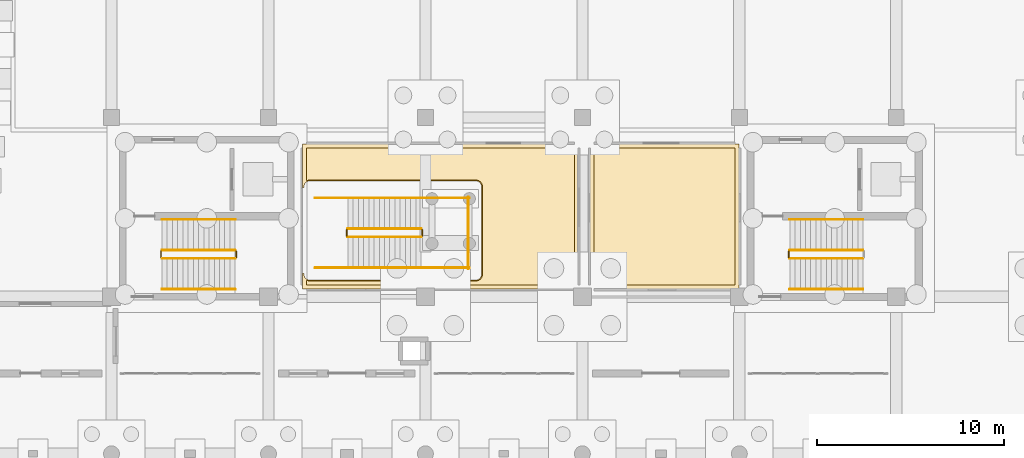
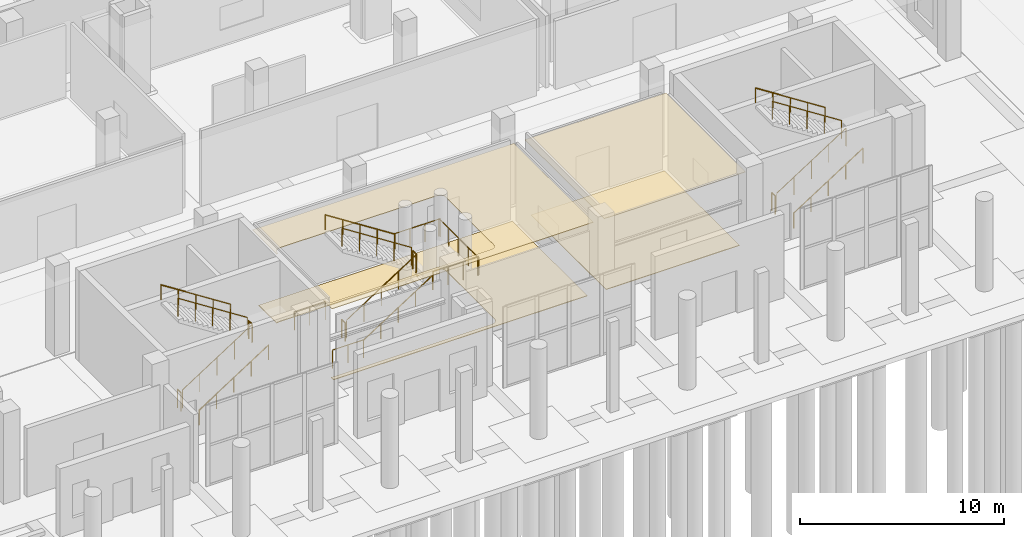
# One storey, part 52 of 65: 22 railings, 4 coverings.
"""IFC4 building model written with IfcOpenShell, lengths in metres."""

from ifc_helpers import new_model, si_unit, direction, frame, origin, origin_2d, place, context, subcontext, project, spatial, polyline, circle, outline, extrude, material, layer, layer_set, type_object, element, save


model = new_model("IFC4")

# Units and contexts
model_context = context("Model", 3, precision=1e-05, world=origin(), true_north=direction((0.0, 1.0)))
body_context = subcontext(model_context, "Body", "Model", "MODEL_VIEW")
ifc_project = project(units=[si_unit("LENGTHUNIT", "METRE"), si_unit("AREAUNIT", "SQUARE_METRE"), si_unit("VOLUMEUNIT", "CUBIC_METRE"), si_unit("PLANEANGLEUNIT", "RADIAN"), si_unit("MASSUNIT", "GRAM", prefix="KILO")], contexts=[model_context])

# Site, building, storey
site_placement = place(None, origin())
site = spatial("IfcSite", under=ifc_project, at=site_placement, CompositionType="ELEMENT")
building_placement = place(site_placement, origin())
building = spatial("IfcBuilding", under=site, at=building_placement, Name="Zulmaris Art Gallery", CompositionType="ELEMENT")
storey_placement = place(building_placement, origin())
storey = spatial("IfcBuildingStorey", under=building, at=storey_placement, Name="L00", CompositionType="ELEMENT", Elevation=0.0)

# Coverings
ifc_material_1 = material(Name="Micro-Perforated Gypsum Acoustic Ceiling", Category="gypsum")
ifc_layer_1 = layer(ifc_material_1, 0.02490234375)
ifc_layer_set_1 = layer_set([ifc_layer_1], Name="Micro-Perforated Gypsum Acoustic Ceiling")
covering_type_1 = type_object("IfcCoveringType", Name="COV-CL01", PredefinedType="CEILING", material=ifc_layer_set_1)
covering_1_placement = place(storey_placement, frame((0.0, 0.0, 4.449951171875)))
element("IfcCovering", 1, at=covering_1_placement, inside=storey, type_object=covering_type_1, Name="Museum Book & Design Shop acoustic ceiling", PredefinedType="CEILING", context=body_context, shape_type="SweptSolid", body=[
    extrude(outline(polyline([(42.610107421875, 29.7900390625), (57.389892578125, 29.7900390625), (57.389892578125, 22.010009765625), (42.610107421875, 22.010009765625), (42.610107421875, 22.8828125), (42.699951171875, 22.82861328125), (42.699951171875, 22.800048828125), (42.701416015625, 22.7705078125), (42.705810546875, 22.741455078125), (42.712890625, 22.712890625), (42.722900390625, 22.685302734375), (42.7353515625, 22.65869140625), (42.75048828125, 22.63330078125), (42.76806640625, 22.609619140625), (42.787841796875, 22.587890625), (42.809814453125, 22.568115234375), (42.833251953125, 22.550537109375), (42.858642578125, 22.535400390625), (42.88525390625, 22.522705078125), (42.912841796875, 22.512939453125), (42.94140625, 22.505859375), (42.970703125, 22.50146484375), (43.0, 22.5), (51.89990234375, 22.5), (51.929443359375, 22.50146484375), (51.95849609375, 22.505859375), (51.987060546875, 22.512939453125), (52.014892578125, 22.522705078125), (52.04150390625, 22.535400390625), (52.066650390625, 22.550537109375), (52.09033203125, 22.568115234375), (52.112060546875, 22.587890625), (52.1318359375, 22.609619140625), (52.1494140625, 22.63330078125), (52.16455078125, 22.65869140625), (52.17724609375, 22.685302734375), (52.18701171875, 22.712890625), (52.194091796875, 22.741455078125), (52.198486328125, 22.7705078125), (52.199951171875, 22.800048828125), (52.199951171875, 27.5), (52.198486328125, 27.529296875), (52.194091796875, 27.55859375), (52.18701171875, 27.587158203125), (52.17724609375, 27.61474609375), (52.16455078125, 27.641357421875), (52.1494140625, 27.666748046875), (52.1318359375, 27.690185546875), (52.112060546875, 27.712158203125), (52.09033203125, 27.73193359375), (52.066650390625, 27.74951171875), (52.04150390625, 27.7646484375), (52.014892578125, 27.777099609375), (51.987060546875, 27.787109375), (51.95849609375, 27.794189453125), (51.929443359375, 27.798583984375), (51.89990234375, 27.800048828125), (43.0, 27.800048828125), (42.970703125, 27.798583984375), (42.94140625, 27.794189453125), (42.912841796875, 27.787109375), (42.88525390625, 27.777099609375), (42.858642578125, 27.7646484375), (42.833251953125, 27.74951171875), (42.809814453125, 27.73193359375), (42.787841796875, 27.712158203125), (42.76806640625, 27.690185546875), (42.75048828125, 27.666748046875), (42.7353515625, 27.641357421875), (42.722900390625, 27.61474609375), (42.712890625, 27.587158203125), (42.705810546875, 27.55859375), (42.701416015625, 27.529296875), (42.699951171875, 27.5), (42.699951171875, 27.47119140625), (42.610107421875, 27.417236328125), (42.610107421875, 29.7900390625)])), origin(), (0.0, 0.0, 1.0), 0.030029296875),
])
covering_2_placement = place(storey_placement, frame((0.0, 0.0, 4.449951171875)))
element("IfcCovering", 2, at=covering_2_placement, inside=storey, type_object=covering_type_1, Name="Shaded Colonnade Gallery Cafe acoustic ceiling", PredefinedType="CEILING", context=body_context, shape_type="SweptSolid", body=[
    extrude(outline(polyline([(58.010009765625, 29.7900390625), (65.989990234375, 29.7900390625), (65.989990234375, 22.010009765625), (58.010009765625, 22.010009765625), (58.010009765625, 29.7900390625)])), origin(), (0.0, 0.0, 1.0), 0.030029296875),
])
ifc_material_2 = material(Name="Honed Omani Limestone Terrazzo Flooring", Category="masonry")
ifc_layer_2 = layer(ifc_material_2, 0.0400390625)
ifc_layer_set_2 = layer_set([ifc_layer_2], Name="Honed Omani Limestone Terrazzo Flooring")
covering_type_2 = type_object("IfcCoveringType", Name="COV-FL01", PredefinedType="FLOORING", material=ifc_layer_set_2)
covering_3_placement = place(storey_placement, origin())
element("IfcCovering", 3, at=covering_3_placement, inside=storey, type_object=covering_type_2, Name="Museum Book & Design Shop finish flooring", PredefinedType="FLOORING", context=body_context, shape_type="SweptSolid", body=[
    extrude(outline(polyline([(57.169921875, 22.22998046875), (42.830078125, 22.22998046875), (42.830078125, 22.494384765625), (42.8349609375, 22.4912109375), (42.8662109375, 22.4765625), (42.8984375, 22.465087890625), (42.931640625, 22.456787109375), (42.9658203125, 22.45166015625), (43.0, 22.449951171875), (51.89990234375, 22.449951171875), (51.934326171875, 22.45166015625), (51.96826171875, 22.456787109375), (52.001708984375, 22.465087890625), (52.033935546875, 22.4765625), (52.06494140625, 22.4912109375), (52.094482421875, 22.509033203125), (52.1220703125, 22.529296875), (52.1474609375, 22.552490234375), (52.170654296875, 22.577880859375), (52.19091796875, 22.605712890625), (52.208740234375, 22.635009765625), (52.223388671875, 22.666015625), (52.23486328125, 22.698486328125), (52.243408203125, 22.731689453125), (52.248291015625, 22.765625), (52.25, 22.800048828125), (52.25, 27.5), (52.248291015625, 27.5341796875), (52.243408203125, 27.568359375), (52.23486328125, 27.6015625), (52.223388671875, 27.6337890625), (52.208740234375, 27.6650390625), (52.19091796875, 27.6943359375), (52.170654296875, 27.721923828125), (52.1474609375, 27.74755859375), (52.1220703125, 27.7705078125), (52.094482421875, 27.791015625), (52.06494140625, 27.80859375), (52.033935546875, 27.823486328125), (52.001708984375, 27.8349609375), (51.96826171875, 27.84326171875), (51.934326171875, 27.848388671875), (51.89990234375, 27.85009765625), (43.0, 27.85009765625), (42.9658203125, 27.848388671875), (42.931640625, 27.84326171875), (42.8984375, 27.8349609375), (42.8662109375, 27.823486328125), (42.8349609375, 27.80859375), (42.830078125, 27.8056640625), (42.830078125, 29.570068359375), (57.169921875, 29.570068359375), (57.169921875, 22.22998046875)])), origin(), (0.0, 0.0, 1.0), 0.034912109375),
])
covering_4_placement = place(storey_placement, origin())
element("IfcCovering", 4, at=covering_4_placement, inside=storey, type_object=covering_type_2, Name="Shaded Colonnade Gallery Cafe finish flooring", PredefinedType="FLOORING", context=body_context, shape_type="SweptSolid", body=[
    extrude(outline(polyline([(65.77001953125, 22.22998046875), (58.22998046875, 22.22998046875), (58.22998046875, 29.570068359375), (65.77001953125, 29.570068359375), (65.77001953125, 22.22998046875)])), origin(), (0.0, 0.0, 1.0), 0.034912109375),
])

# Railings
ifc_material_3 = material(Name="Steel S355J2", Category="steel")
ifc_layer_3 = layer(ifc_material_3, 0.050048828125)
ifc_layer_set_3 = layer_set([ifc_layer_3], Name="Steel S355J2")
railing_type_1 = type_object("IfcRailingType", Name="RAIL-STGRD", PredefinedType="GUARDRAIL", material=ifc_layer_set_3)
railing_1_placement = place(storey_placement, frame((35.10009765625, 23.64990234375, 0.179931640625)))
element("IfcRailing", 5, at=railing_1_placement, inside=storey, type_object=railing_type_1, Name="L00 ST1 stair guard 1", PredefinedType="GUARDRAIL", context=body_context, shape_type="SweptSolid", body=[
    extrude(circle(Radius=0.02392578125, at=origin_2d()), frame((0.0, 0.0, 1.076171875), z_axis=(0.841171666519, 0.0, 0.540768182723), x_axis=(0.0, 1.0, 0.0)), (0.0, 0.0, 1.0), 4.66015625),
    extrude(circle(Radius=0.02099609375, at=origin_2d()), origin(), (0.0, 0.0, 1.0), 1.052001953125),
    extrude(circle(Radius=0.02099609375, at=origin_2d()), frame((0.97998046875, 0.0, 0.6298828125)), (0.0, 0.0, 1.0), 1.052001953125),
    extrude(circle(Radius=0.02099609375, at=origin_2d()), frame((1.9599609375, 0.0, 1.260009765625)), (0.0, 0.0, 1.0), 1.052001953125),
    extrude(circle(Radius=0.02099609375, at=origin_2d()), frame((2.93994140625, 0.0, 1.89013671875)), (0.0, 0.0, 1.0), 1.052001953125),
    extrude(circle(Radius=0.02099609375, at=origin_2d()), frame((3.919921875, 0.0, 2.52001953125)), (0.0, 0.0, 1.0), 1.052001953125),
])
railing_2_placement = place(storey_placement, frame((39.070068359375, 23.699951171875, 2.699951171875)))
element("IfcRailing", 6, at=railing_2_placement, inside=storey, type_object=railing_type_1, Name="L00 ST1 stair guard 2", PredefinedType="GUARDRAIL", context=body_context, shape_type="SweptSolid", body=[
    extrude(circle(Radius=0.02392578125, at=origin_2d()), frame((0.0, 0.0, 1.076171875), z_axis=(0.0, 1.0, 0.0), x_axis=(-1.0, 0.0, 0.0)), (0.0, 0.0, 1.0), 0.340087890625),
    extrude(circle(Radius=0.02099609375, at=origin_2d()), origin(), (0.0, 0.0, 1.0), 1.052001953125),
    extrude(circle(Radius=0.02099609375, at=origin_2d()), frame((0.0, 0.340087890625, 0.0)), (0.0, 0.0, 1.0), 1.052001953125),
])
railing_3_placement = place(storey_placement, frame((39.02001953125, 24.090087890625, 2.8798828125)))
element("IfcRailing", 7, at=railing_3_placement, inside=storey, type_object=railing_type_1, Name="L00 ST1 stair guard 3", PredefinedType="GUARDRAIL", context=body_context, shape_type="SweptSolid", body=[
    extrude(circle(Radius=0.02392578125, at=origin_2d()), frame((0.0, 0.0, 1.076171875), z_axis=(-0.841171666519, 0.0, 0.540768182723), x_axis=(0.0, -1.0, 0.0)), (0.0, 0.0, 1.0), 4.66015625),
    extrude(circle(Radius=0.02099609375, at=origin_2d()), origin(), (0.0, 0.0, 1.0), 1.052001953125),
    extrude(circle(Radius=0.02099609375, at=origin_2d()), frame((-0.97998046875, 0.0, 0.6298828125)), (0.0, 0.0, 1.0), 1.052001953125),
    extrude(circle(Radius=0.02099609375, at=origin_2d()), frame((-1.9599609375, 0.0, 1.260009765625)), (0.0, 0.0, 1.0), 1.052001953125),
    extrude(circle(Radius=0.02099609375, at=origin_2d()), frame((-2.93994140625, 0.0, 1.89013671875)), (0.0, 0.0, 1.0), 1.052001953125),
    extrude(circle(Radius=0.02099609375, at=origin_2d()), frame((-3.919921875, 0.0, 2.52001953125)), (0.0, 0.0, 1.0), 1.052001953125),
])
railing_4_placement = place(storey_placement, frame((35.050048828125, 23.699951171875, 0.0)))
element("IfcRailing", 8, at=railing_4_placement, inside=storey, type_object=railing_type_1, Name="L00 ST1 stair guard 4", PredefinedType="GUARDRAIL", context=body_context, shape_type="SweptSolid", body=[
    extrude(circle(Radius=0.02392578125, at=origin_2d()), frame((0.0, 0.0, 1.076171875), z_axis=(0.0, 1.0, 0.0), x_axis=(-1.0, 0.0, 0.0)), (0.0, 0.0, 1.0), 0.340087890625),
    extrude(circle(Radius=0.02099609375, at=origin_2d()), origin(), (0.0, 0.0, 1.0), 1.052001953125),
    extrude(circle(Radius=0.02099609375, at=origin_2d()), frame((0.0, 0.340087890625, 0.0)), (0.0, 0.0, 1.0), 1.052001953125),
])
railing_5_placement = place(storey_placement, frame((68.699951171875, 23.64990234375, 0.179931640625)))
element("IfcRailing", 9, at=railing_5_placement, inside=storey, type_object=railing_type_1, Name="L00 ST2 stair guard 1", PredefinedType="GUARDRAIL", context=body_context, shape_type="SweptSolid", body=[
    extrude(circle(Radius=0.02392578125, at=origin_2d()), frame((0.0, 0.0, 1.076171875), z_axis=(0.841186985886, 0.0, 0.540744352514), x_axis=(0.0, 1.0, 0.0)), (0.0, 0.0, 1.0), 4.660400390625),
    extrude(circle(Radius=0.02099609375, at=origin_2d()), origin(), (0.0, 0.0, 1.0), 1.052001953125),
    extrude(circle(Radius=0.02099609375, at=origin_2d()), frame((0.97998046875, 0.0, 0.6298828125)), (0.0, 0.0, 1.0), 1.052001953125),
    extrude(circle(Radius=0.02099609375, at=origin_2d()), frame((1.9599609375, 0.0, 1.260009765625)), (0.0, 0.0, 1.0), 1.052001953125),
    extrude(circle(Radius=0.02099609375, at=origin_2d()), frame((2.940185546875, 0.0, 1.89013671875)), (0.0, 0.0, 1.0), 1.052001953125),
    extrude(circle(Radius=0.02099609375, at=origin_2d()), frame((3.920166015625, 0.0, 2.52001953125)), (0.0, 0.0, 1.0), 1.052001953125),
])
railing_6_placement = place(storey_placement, frame((72.6201171875, 24.090087890625, 2.8798828125)))
element("IfcRailing", 10, at=railing_6_placement, inside=storey, type_object=railing_type_1, Name="L00 ST2 stair guard 3", PredefinedType="GUARDRAIL", context=body_context, shape_type="SweptSolid", body=[
    extrude(circle(Radius=0.02392578125, at=origin_2d()), frame((0.0, 0.0, 1.076171875), z_axis=(-0.841186985886, 0.0, 0.540744352514), x_axis=(0.0, -1.0, 0.0)), (0.0, 0.0, 1.0), 4.660400390625),
    extrude(circle(Radius=0.02099609375, at=origin_2d()), origin(), (0.0, 0.0, 1.0), 1.052001953125),
    extrude(circle(Radius=0.02099609375, at=origin_2d()), frame((-0.97998046875, 0.0, 0.6298828125)), (0.0, 0.0, 1.0), 1.052001953125),
    extrude(circle(Radius=0.02099609375, at=origin_2d()), frame((-1.9599609375, 0.0, 1.260009765625)), (0.0, 0.0, 1.0), 1.052001953125),
    extrude(circle(Radius=0.02099609375, at=origin_2d()), frame((-2.940185546875, 0.0, 1.89013671875)), (0.0, 0.0, 1.0), 1.052001953125),
    extrude(circle(Radius=0.02099609375, at=origin_2d()), frame((-3.920166015625, 0.0, 2.52001953125)), (0.0, 0.0, 1.0), 1.052001953125),
])
railing_7_placement = place(storey_placement, frame((68.64990234375, 23.699951171875, 0.0)))
element("IfcRailing", 11, at=railing_7_placement, inside=storey, type_object=railing_type_1, Name="L00 ST2 stair guard 4", PredefinedType="GUARDRAIL", context=body_context, shape_type="SweptSolid", body=[
    extrude(circle(Radius=0.02392578125, at=origin_2d()), frame((0.0, 0.0, 1.076171875), z_axis=(0.0, 1.0, 0.0), x_axis=(-1.0, 0.0, 0.0)), (0.0, 0.0, 1.0), 0.340087890625),
    extrude(circle(Radius=0.02099609375, at=origin_2d()), origin(), (0.0, 0.0, 1.0), 1.052001953125),
    extrude(circle(Radius=0.02099609375, at=origin_2d()), frame((0.0, 0.340087890625, 0.0)), (0.0, 0.0, 1.0), 1.052001953125),
])
railing_8_placement = place(storey_placement, frame((45.050048828125, 24.800048828125, 0.179931640625)))
element("IfcRailing", 12, at=railing_8_placement, inside=storey, type_object=railing_type_1, Name="L00 ST6 stair guard 1", PredefinedType="GUARDRAIL", context=body_context, shape_type="SweptSolid", body=[
    extrude(circle(Radius=0.02392578125, at=origin_2d()), frame((0.0, 0.0, 1.076171875), z_axis=(0.841171666519, 0.0, 0.540768182723), x_axis=(0.0, 1.0, 0.0)), (0.0, 0.0, 1.0), 4.66015625),
    extrude(circle(Radius=0.02099609375, at=origin_2d()), origin(), (0.0, 0.0, 1.0), 1.052001953125),
    extrude(circle(Radius=0.02099609375, at=origin_2d()), frame((0.97998046875, 0.0, 0.6298828125)), (0.0, 0.0, 1.0), 1.052001953125),
    extrude(circle(Radius=0.02099609375, at=origin_2d()), frame((1.9599609375, 0.0, 1.260009765625)), (0.0, 0.0, 1.0), 1.052001953125),
    extrude(circle(Radius=0.02099609375, at=origin_2d()), frame((2.93994140625, 0.0, 1.89013671875)), (0.0, 0.0, 1.0), 1.052001953125),
    extrude(circle(Radius=0.02099609375, at=origin_2d()), frame((3.919921875, 0.0, 2.52001953125)), (0.0, 0.0, 1.0), 1.052001953125),
])
railing_9_placement = place(storey_placement, frame((49.02001953125, 24.85009765625, 2.699951171875)))
element("IfcRailing", 13, at=railing_9_placement, inside=storey, type_object=railing_type_1, Name="L00 ST6 stair guard 2", PredefinedType="GUARDRAIL", context=body_context, shape_type="SweptSolid", body=[
    extrude(circle(Radius=0.02392578125, at=origin_2d()), frame((0.0, 0.0, 1.076171875), z_axis=(0.0, 1.0, 0.0), x_axis=(-1.0, 0.0, 0.0)), (0.0, 0.0, 1.0), 0.33984375),
    extrude(circle(Radius=0.02099609375, at=origin_2d()), origin(), (0.0, 0.0, 1.0), 1.052001953125),
    extrude(circle(Radius=0.02099609375, at=origin_2d()), frame((0.0, 0.33984375, 0.0)), (0.0, 0.0, 1.0), 1.052001953125),
])
for number, where, name in (
    (14, (48.969970703125, 23.14990234375, 2.699951171875), "L00 ST6 stair guard 3"),
    (15, (48.969970703125, 26.889892578125, 2.699951171875), "L00 ST6 stair guard 4"),
):
    element("IfcRailing", number, at=place(storey_placement, frame(where)), inside=storey, type_object=railing_type_1, Name=name, PredefinedType="GUARDRAIL", context=body_context, shape_type="SweptSolid", body=[
        extrude(circle(Radius=0.02392578125, at=origin_2d()), frame((0.0, 0.0, 1.076171875), z_axis=(1.0, 0.0, 0.0), x_axis=(0.0, 1.0, 0.0)), (0.0, 0.0, 1.0), 2.580078125),
        extrude(circle(Radius=0.02099609375, at=origin_2d()), origin(), (0.0, 0.0, 1.0), 1.052001953125),
        extrude(circle(Radius=0.02099609375, at=origin_2d()), frame((0.860107421875, 0.0, 0.0)), (0.0, 0.0, 1.0), 1.052001953125),
        extrude(circle(Radius=0.02099609375, at=origin_2d()), frame((1.719970703125, 0.0, 0.0)), (0.0, 0.0, 1.0), 1.052001953125),
        extrude(circle(Radius=0.02099609375, at=origin_2d()), frame((2.580078125, 0.0, 0.0)), (0.0, 0.0, 1.0), 1.052001953125),
    ])
railing_10_placement = place(storey_placement, frame((51.5, 23.10009765625, 2.699951171875)))
element("IfcRailing", 16, at=railing_10_placement, inside=storey, type_object=railing_type_1, Name="L00 ST6 stair guard 5", PredefinedType="GUARDRAIL", context=body_context, shape_type="SweptSolid", body=[
    extrude(circle(Radius=0.02392578125, at=origin_2d()), frame((0.0, 0.0, 1.076171875), z_axis=(0.0, 1.0, 0.0), x_axis=(-1.0, 0.0, 0.0)), (0.0, 0.0, 1.0), 3.83984375),
    extrude(circle(Radius=0.02099609375, at=origin_2d()), origin(), (0.0, 0.0, 1.0), 1.052001953125),
    extrude(circle(Radius=0.02099609375, at=origin_2d()), frame((0.0, 0.9599609375, 0.0)), (0.0, 0.0, 1.0), 1.052001953125),
    extrude(circle(Radius=0.02099609375, at=origin_2d()), frame((0.0, 1.919921875, 0.0)), (0.0, 0.0, 1.0), 1.052001953125),
    extrude(circle(Radius=0.02099609375, at=origin_2d()), frame((0.0, 2.8798828125, 0.0)), (0.0, 0.0, 1.0), 1.052001953125),
    extrude(circle(Radius=0.02099609375, at=origin_2d()), frame((0.0, 3.83984375, 0.0)), (0.0, 0.0, 1.0), 1.052001953125),
])
railing_11_placement = place(storey_placement, frame((48.969970703125, 25.239990234375, 2.8798828125)))
element("IfcRailing", 17, at=railing_11_placement, inside=storey, type_object=railing_type_1, Name="L00 ST6 stair guard 6", PredefinedType="GUARDRAIL", context=body_context, shape_type="SweptSolid", body=[
    extrude(circle(Radius=0.02392578125, at=origin_2d()), frame((0.0, 0.0, 1.076171875), z_axis=(-0.841171666519, 0.0, 0.540768182723), x_axis=(0.0, -1.0, 0.0)), (0.0, 0.0, 1.0), 4.66015625),
    extrude(circle(Radius=0.02099609375, at=origin_2d()), origin(), (0.0, 0.0, 1.0), 1.052001953125),
    extrude(circle(Radius=0.02099609375, at=origin_2d()), frame((-0.97998046875, 0.0, 0.6298828125)), (0.0, 0.0, 1.0), 1.052001953125),
    extrude(circle(Radius=0.02099609375, at=origin_2d()), frame((-1.9599609375, 0.0, 1.260009765625)), (0.0, 0.0, 1.0), 1.052001953125),
    extrude(circle(Radius=0.02099609375, at=origin_2d()), frame((-2.93994140625, 0.0, 1.89013671875)), (0.0, 0.0, 1.0), 1.052001953125),
    extrude(circle(Radius=0.02099609375, at=origin_2d()), frame((-3.919921875, 0.0, 2.52001953125)), (0.0, 0.0, 1.0), 1.052001953125),
])
railing_12_placement = place(storey_placement, frame((45.0, 24.85009765625, 0.0)))
element("IfcRailing", 18, at=railing_12_placement, inside=storey, type_object=railing_type_1, Name="L00 ST6 stair guard 7", PredefinedType="GUARDRAIL", context=body_context, shape_type="SweptSolid", body=[
    extrude(circle(Radius=0.02392578125, at=origin_2d()), frame((0.0, 0.0, 1.076171875), z_axis=(0.0, 1.0, 0.0), x_axis=(-1.0, 0.0, 0.0)), (0.0, 0.0, 1.0), 0.33984375),
    extrude(circle(Radius=0.02099609375, at=origin_2d()), origin(), (0.0, 0.0, 1.0), 1.052001953125),
    extrude(circle(Radius=0.02099609375, at=origin_2d()), frame((0.0, 0.33984375, 0.0)), (0.0, 0.0, 1.0), 1.052001953125),
])
for number, where, name in (
    (19, (43.300048828125, 23.14990234375, 0.0), "L00 ST6 stair guard 8"),
    (20, (43.300048828125, 26.889892578125, 0.0), "L00 ST6 stair guard 9"),
):
    element("IfcRailing", number, at=place(storey_placement, frame(where)), inside=storey, type_object=railing_type_1, Name=name, PredefinedType="GUARDRAIL", context=body_context, shape_type="SweptSolid", body=[
        extrude(circle(Radius=0.02392578125, at=origin_2d()), frame((0.0, 0.0, 1.076171875), z_axis=(1.0, 0.0, 0.0), x_axis=(0.0, 1.0, 0.0)), (0.0, 0.0, 1.0), 1.75),
        extrude(circle(Radius=0.02099609375, at=origin_2d()), origin(), (0.0, 0.0, 1.0), 1.052001953125),
        extrude(circle(Radius=0.02099609375, at=origin_2d()), frame((0.875, 0.0, 0.0)), (0.0, 0.0, 1.0), 1.052001953125),
        extrude(circle(Radius=0.02099609375, at=origin_2d()), frame((1.75, 0.0, 0.0)), (0.0, 0.0, 1.0), 1.052001953125),
    ])
ifc_material_4 = material(Name="Brushed Bronze Handrail", Category="steel")
ifc_layer_4 = layer(ifc_material_4, 0.048095703125)
ifc_layer_set_4 = layer_set([ifc_layer_4], Name="Brushed Bronze Handrail")
railing_type_2 = type_object("IfcRailingType", Name="RAIL-STHND", PredefinedType="HANDRAIL", material=ifc_layer_set_4)
railing_13_placement = place(storey_placement, frame((35.10009765625, 22.0, 0.179931640625)))
element("IfcRailing", 21, at=railing_13_placement, inside=storey, type_object=railing_type_2, Name="L00 ST1 stair handrail 1", PredefinedType="HANDRAIL", context=body_context, shape_type="SweptSolid", body=[
    extrude(circle(Radius=0.02392578125, at=origin_2d()), frame((0.0, 0.0, 0.8759765625), z_axis=(0.841171666519, 0.0, 0.540768182723), x_axis=(0.0, 1.0, 0.0)), (0.0, 0.0, 1.0), 4.66015625),
    extrude(circle(Radius=0.02099609375, at=origin_2d()), origin(), (0.0, 0.0, 1.0), 0.851806640625),
    extrude(circle(Radius=0.02099609375, at=origin_2d()), frame((0.97998046875, 0.0, 0.6298828125)), (0.0, 0.0, 1.0), 0.851806640625),
    extrude(circle(Radius=0.02099609375, at=origin_2d()), frame((1.9599609375, 0.0, 1.260009765625)), (0.0, 0.0, 1.0), 0.851806640625),
    extrude(circle(Radius=0.02099609375, at=origin_2d()), frame((2.93994140625, 0.0, 1.89013671875)), (0.0, 0.0, 1.0), 0.851806640625),
    extrude(circle(Radius=0.02099609375, at=origin_2d()), frame((3.919921875, 0.0, 2.52001953125)), (0.0, 0.0, 1.0), 0.851806640625),
])
railing_14_placement = place(storey_placement, frame((39.02001953125, 25.739990234375, 2.8798828125)))
element("IfcRailing", 22, at=railing_14_placement, inside=storey, type_object=railing_type_2, Name="L00 ST1 stair handrail 2", PredefinedType="HANDRAIL", context=body_context, shape_type="SweptSolid", body=[
    extrude(circle(Radius=0.02392578125, at=origin_2d()), frame((0.0, 0.0, 0.8759765625), z_axis=(-0.841171666519, 0.0, 0.540768182723), x_axis=(0.0, -1.0, 0.0)), (0.0, 0.0, 1.0), 4.66015625),
    extrude(circle(Radius=0.02099609375, at=origin_2d()), origin(), (0.0, 0.0, 1.0), 0.851806640625),
    extrude(circle(Radius=0.02099609375, at=origin_2d()), frame((-0.97998046875, 0.0, 0.6298828125)), (0.0, 0.0, 1.0), 0.851806640625),
    extrude(circle(Radius=0.02099609375, at=origin_2d()), frame((-1.9599609375, 0.0, 1.260009765625)), (0.0, 0.0, 1.0), 0.851806640625),
    extrude(circle(Radius=0.02099609375, at=origin_2d()), frame((-2.93994140625, 0.0, 1.89013671875)), (0.0, 0.0, 1.0), 0.851806640625),
    extrude(circle(Radius=0.02099609375, at=origin_2d()), frame((-3.919921875, 0.0, 2.52001953125)), (0.0, 0.0, 1.0), 0.851806640625),
])
railing_15_placement = place(storey_placement, frame((68.699951171875, 22.0, 0.179931640625)))
element("IfcRailing", 23, at=railing_15_placement, inside=storey, type_object=railing_type_2, Name="L00 ST2 stair handrail 1", PredefinedType="HANDRAIL", context=body_context, shape_type="SweptSolid", body=[
    extrude(circle(Radius=0.02392578125, at=origin_2d()), frame((0.0, 0.0, 0.8759765625), z_axis=(0.841186985886, 0.0, 0.540744352514), x_axis=(0.0, 1.0, 0.0)), (0.0, 0.0, 1.0), 4.660400390625),
    extrude(circle(Radius=0.02099609375, at=origin_2d()), origin(), (0.0, 0.0, 1.0), 0.851806640625),
    extrude(circle(Radius=0.02099609375, at=origin_2d()), frame((0.97998046875, 0.0, 0.6298828125)), (0.0, 0.0, 1.0), 0.851806640625),
    extrude(circle(Radius=0.02099609375, at=origin_2d()), frame((1.9599609375, 0.0, 1.260009765625)), (0.0, 0.0, 1.0), 0.851806640625),
    extrude(circle(Radius=0.02099609375, at=origin_2d()), frame((2.940185546875, 0.0, 1.89013671875)), (0.0, 0.0, 1.0), 0.851806640625),
    extrude(circle(Radius=0.02099609375, at=origin_2d()), frame((3.920166015625, 0.0, 2.52001953125)), (0.0, 0.0, 1.0), 0.851806640625),
])
railing_16_placement = place(storey_placement, frame((72.6201171875, 25.739990234375, 2.8798828125)))
element("IfcRailing", 24, at=railing_16_placement, inside=storey, type_object=railing_type_2, Name="L00 ST2 stair handrail 2", PredefinedType="HANDRAIL", context=body_context, shape_type="SweptSolid", body=[
    extrude(circle(Radius=0.02392578125, at=origin_2d()), frame((0.0, 0.0, 0.8759765625), z_axis=(-0.841186985886, 0.0, 0.540744352514), x_axis=(0.0, -1.0, 0.0)), (0.0, 0.0, 1.0), 4.660400390625),
    extrude(circle(Radius=0.02099609375, at=origin_2d()), origin(), (0.0, 0.0, 1.0), 0.851806640625),
    extrude(circle(Radius=0.02099609375, at=origin_2d()), frame((-0.97998046875, 0.0, 0.6298828125)), (0.0, 0.0, 1.0), 0.851806640625),
    extrude(circle(Radius=0.02099609375, at=origin_2d()), frame((-1.9599609375, 0.0, 1.260009765625)), (0.0, 0.0, 1.0), 0.851806640625),
    extrude(circle(Radius=0.02099609375, at=origin_2d()), frame((-2.940185546875, 0.0, 1.89013671875)), (0.0, 0.0, 1.0), 0.851806640625),
    extrude(circle(Radius=0.02099609375, at=origin_2d()), frame((-3.920166015625, 0.0, 2.52001953125)), (0.0, 0.0, 1.0), 0.851806640625),
])
railing_17_placement = place(storey_placement, frame((45.050048828125, 23.14990234375, 0.179931640625)))
element("IfcRailing", 25, at=railing_17_placement, inside=storey, type_object=railing_type_2, Name="L00 ST6 stair handrail 1", PredefinedType="HANDRAIL", context=body_context, shape_type="SweptSolid", body=[
    extrude(circle(Radius=0.02392578125, at=origin_2d()), frame((0.0, 0.0, 0.8759765625), z_axis=(0.841171666519, 0.0, 0.540768182723), x_axis=(0.0, 1.0, 0.0)), (0.0, 0.0, 1.0), 4.66015625),
    extrude(circle(Radius=0.02099609375, at=origin_2d()), origin(), (0.0, 0.0, 1.0), 0.851806640625),
    extrude(circle(Radius=0.02099609375, at=origin_2d()), frame((0.97998046875, 0.0, 0.6298828125)), (0.0, 0.0, 1.0), 0.851806640625),
    extrude(circle(Radius=0.02099609375, at=origin_2d()), frame((1.9599609375, 0.0, 1.260009765625)), (0.0, 0.0, 1.0), 0.851806640625),
    extrude(circle(Radius=0.02099609375, at=origin_2d()), frame((2.93994140625, 0.0, 1.89013671875)), (0.0, 0.0, 1.0), 0.851806640625),
    extrude(circle(Radius=0.02099609375, at=origin_2d()), frame((3.919921875, 0.0, 2.52001953125)), (0.0, 0.0, 1.0), 0.851806640625),
])
railing_18_placement = place(storey_placement, frame((48.969970703125, 26.889892578125, 2.8798828125)))
element("IfcRailing", 26, at=railing_18_placement, inside=storey, type_object=railing_type_2, Name="L00 ST6 stair handrail 2", PredefinedType="HANDRAIL", context=body_context, shape_type="SweptSolid", body=[
    extrude(circle(Radius=0.02392578125, at=origin_2d()), frame((0.0, 0.0, 0.8759765625), z_axis=(-0.841171666519, 0.0, 0.540768182723), x_axis=(0.0, -1.0, 0.0)), (0.0, 0.0, 1.0), 4.66015625),
    extrude(circle(Radius=0.02099609375, at=origin_2d()), origin(), (0.0, 0.0, 1.0), 0.851806640625),
    extrude(circle(Radius=0.02099609375, at=origin_2d()), frame((-0.97998046875, 0.0, 0.6298828125)), (0.0, 0.0, 1.0), 0.851806640625),
    extrude(circle(Radius=0.02099609375, at=origin_2d()), frame((-1.9599609375, 0.0, 1.260009765625)), (0.0, 0.0, 1.0), 0.851806640625),
    extrude(circle(Radius=0.02099609375, at=origin_2d()), frame((-2.93994140625, 0.0, 1.89013671875)), (0.0, 0.0, 1.0), 0.851806640625),
    extrude(circle(Radius=0.02099609375, at=origin_2d()), frame((-3.919921875, 0.0, 2.52001953125)), (0.0, 0.0, 1.0), 0.851806640625),
])

save(model, "model.ifc")
